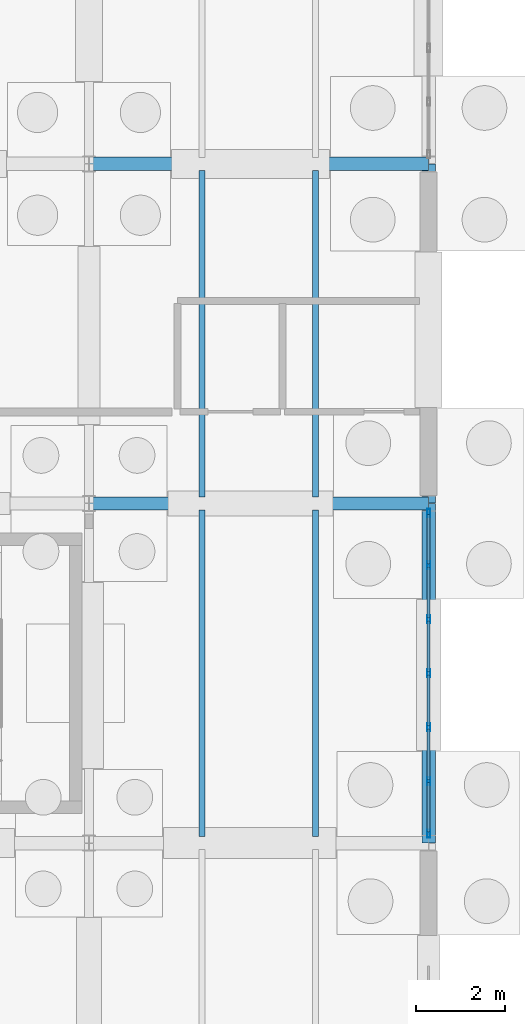
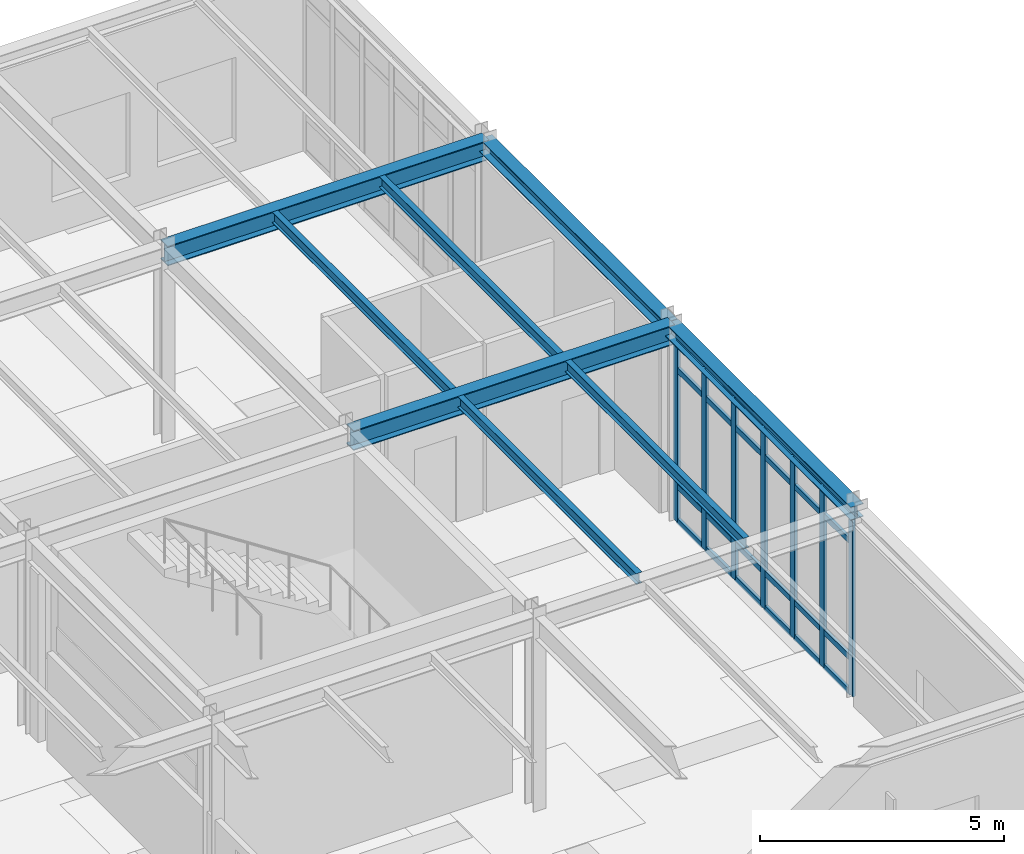
# One storey, part 34 of 109: 31 members, 8 beams, 1 element without a shape of its own.
"""IFC4 building model written with IfcOpenShell, lengths in metres."""

from ifc_helpers import new_model, si_unit, direction, frame, origin, origin_2d, place, context, subcontext, project, spatial, hollow_rectangle, i_section, extrude, material, layer, layer_set, material_profile, profile_set, type_object, element, aggregate, save


model = new_model("IFC4")

# Units and contexts
model_context = context("Model", 3, precision=1e-05, world=origin(), true_north=direction((0.0, 1.0)))
body_context = subcontext(model_context, "Body", "Model", "MODEL_VIEW")
ifc_project = project(units=[si_unit("LENGTHUNIT", "METRE"), si_unit("AREAUNIT", "SQUARE_METRE"), si_unit("VOLUMEUNIT", "CUBIC_METRE"), si_unit("PLANEANGLEUNIT", "RADIAN"), si_unit("MASSUNIT", "GRAM", prefix="KILO")], contexts=[model_context])

# Site, building, storey
site_placement = place(None, origin())
site = spatial("IfcSite", under=ifc_project, at=site_placement, CompositionType="ELEMENT")
building_placement = place(site_placement, origin())
building = spatial("IfcBuilding", under=site, at=building_placement, Name="Montecoro Central Library", CompositionType="ELEMENT")
storey_placement = place(building_placement, origin())
storey = spatial("IfcBuildingStorey", under=building, at=storey_placement, Name="L00", CompositionType="ELEMENT", Elevation=0.0)

# Beams
ifc_material_1 = material(Name="Steel S355J2", Category="steel")
ifc_material_profile_1 = material_profile(ifc_material_1, i_section(OverallWidth=0.300048828125, OverallDepth=0.489990234375, WebThickness=0.011962890625, FlangeThickness=0.02294921875, at=origin_2d()), Name="HEA 500")
ifc_profile_set_1 = profile_set([ifc_material_profile_1], Name="Steel S355J2")
beam_type_1 = type_object("IfcBeamType", Name="BM-G-HEA500", PredefinedType="USERDEFINED", material=ifc_profile_set_1)
for number, where, z_axis, x_axis, name in (
    (1, (35.405029296875, 20.199951171875, 4.60009765625), (1.0, 0.0, 0.0), (0.0, 1.0, 0.0), "V3-L00-BX-56-C"),
    (2, (35.405029296875, 27.800048828125, 4.60009765625), (1.0, 0.0, 0.0), (0.0, 1.0, 0.0), "V3-L00-BX-56-D"),
):
    element("IfcBeam", number, at=place(storey_placement, frame(where, z_axis=z_axis, x_axis=x_axis)), inside=storey, type_object=beam_type_1, Name=name, ObjectType="GIRDER", PredefinedType="USERDEFINED", context=body_context, shape_type="SweptSolid", body=[
        extrude(i_section(OverallWidth=0.300048828125, OverallDepth=0.489990234375, WebThickness=0.011962890625, FlangeThickness=0.02294921875, at=origin_2d()), origin(), (0.0, 0.0, 1.0), 7.590087890625),
    ])
ifc_material_2 = material(Name="Steel S355", Category="steel")
ifc_material_profile_2 = material_profile(ifc_material_2, i_section(OverallWidth=0.135009765625, OverallDepth=0.27001953125, WebThickness=0.006591796875, FlangeThickness=0.01025390625, at=origin_2d()), Name="IPE 270")
ifc_profile_set_2 = profile_set([ifc_material_profile_2], Name="Steel S355")
beam_type_2 = type_object("IfcBeamType", Name="BM-J-IPE270", PredefinedType="JOIST", material=ifc_profile_set_2)
for number, where, z_axis, x_axis, name in (
    (3, (37.93310546875, 12.7470703125, 4.7099609375), (0.0, 1.0, 0.0), (-1.0, 0.0, 0.0), "V3-L00-JS-56-BC-1"),
    (4, (40.467041015625, 12.7470703125, 4.7099609375), (0.0, 1.0, 0.0), (-1.0, 0.0, 0.0), "V3-L00-JS-56-BC-2"),
):
    element("IfcBeam", number, at=place(storey_placement, frame(where, z_axis=z_axis, x_axis=x_axis)), inside=storey, type_object=beam_type_2, Name=name, PredefinedType="JOIST", context=body_context, shape_type="SweptSolid", body=[
        extrude(i_section(OverallWidth=0.135009765625, OverallDepth=0.27001953125, WebThickness=0.006591796875, FlangeThickness=0.01025390625, at=origin_2d()), origin(), (0.0, 0.0, 1.0), 7.305908203125),
    ])
for number, where, z_axis, x_axis, name in (
    (5, (37.93310546875, 20.346923828125, 4.7099609375), (0.0, 1.0, 0.0), (-1.0, 0.0, 0.0), "V3-L00-JS-56-CD-1"),
    (6, (40.467041015625, 20.346923828125, 4.7099609375), (0.0, 1.0, 0.0), (-1.0, 0.0, 0.0), "V3-L00-JS-56-CD-2"),
):
    element("IfcBeam", number, at=place(storey_placement, frame(where, z_axis=z_axis, x_axis=x_axis)), inside=storey, type_object=beam_type_2, Name=name, PredefinedType="JOIST", context=body_context, shape_type="SweptSolid", body=[
        extrude(i_section(OverallWidth=0.135009765625, OverallDepth=0.27001953125, WebThickness=0.006591796875, FlangeThickness=0.01025390625, at=origin_2d()), origin(), (0.0, 0.0, 1.0), 7.30615234375),
    ])
ifc_material_profile_3 = material_profile(ifc_material_2, i_section(OverallWidth=0.300048828125, OverallDepth=0.330078125, WebThickness=0.009521484375, FlangeThickness=0.0166015625, at=origin_2d()), Name="HEA 340")
ifc_profile_set_3 = profile_set([ifc_material_profile_3], Name="Steel S355")
beam_type_3 = type_object("IfcBeamType", Name="BM-SP-HEA340", PredefinedType="SPANDREL", material=ifc_profile_set_3)
beam_1_placement = place(storey_placement, frame((43.0, 12.60498046875, 4.679931640625), z_axis=(0.0, 1.0, 0.0), x_axis=(-1.0, 0.0, 0.0)))
element("IfcBeam", 7, at=beam_1_placement, inside=storey, type_object=beam_type_3, Name="V3-L00-BY-6-BC", PredefinedType="SPANDREL", context=body_context, shape_type="SweptSolid", body=[
    extrude(i_section(OverallWidth=0.300048828125, OverallDepth=0.330078125, WebThickness=0.009521484375, FlangeThickness=0.0166015625, at=origin_2d()), origin(), (0.0, 0.0, 1.0), 7.590087890625),
])
beam_2_placement = place(storey_placement, frame((43.0, 20.205078125, 4.679931640625), z_axis=(0.0, 1.0, 0.0), x_axis=(-1.0, 0.0, 0.0)))
element("IfcBeam", 8, at=beam_2_placement, inside=storey, type_object=beam_type_3, Name="V3-L00-BY-6-CD", PredefinedType="SPANDREL", context=body_context, shape_type="SweptSolid", body=[
    extrude(i_section(OverallWidth=0.300048828125, OverallDepth=0.330078125, WebThickness=0.009521484375, FlangeThickness=0.0166015625, at=origin_2d()), origin(), (0.0, 0.0, 1.0), 7.58984375),
])

# Curtain wall, members
ifc_material_3 = material(Name="Bronze-anodised aluminium and low-E glazing", Category="aluminium")
ifc_layer = layer(ifc_material_3, 0.159912109375)
ifc_layer_set = layer_set([ifc_layer], Name="Bronze-anodised aluminium and low-E glazing")
curtain_wall_type = type_object("IfcCurtainWallType", Name="CWT-027", PredefinedType="NOTDEFINED", material=ifc_layer_set)
curtain_wall_placement = place(storey_placement, origin())
curtain_wall = element("IfcCurtainWall", 9, at=curtain_wall_placement, inside=storey, type_object=curtain_wall_type, Name="V3-L00-CW-E1", PredefinedType="NOTDEFINED")
ifc_material_4 = material(Name="Bronze-anodised aluminium", Category="aluminium")
ifc_material_profile_4 = material_profile(ifc_material_4, hollow_rectangle(XDim=0.070068359375, YDim=0.179931640625, WallThickness=0.0048828125, at=origin_2d()), Name="CWM 180x70x5.0")
ifc_profile_set_4 = profile_set([ifc_material_profile_4], Name="Bronze-anodised aluminium")
member_type_1 = type_object("IfcMemberType", Name="CWM-BRZ-70", PredefinedType="MULLION", material=ifc_profile_set_4)
member_1_placement = place(storey_placement, frame((43.0, 12.81298828125, 0.0), z_axis=(0.0, 0.0, 1.0), x_axis=(-1.0, 0.0, 0.0)))
member_1 = element("IfcMember", 10, at=member_1_placement, type_object=member_type_1, Name="CW-027 mullion 1", PredefinedType="MULLION", context=body_context, shape_type="SweptSolid", body=[
    extrude(hollow_rectangle(XDim=0.070068359375, YDim=0.179931640625, WallThickness=0.0048828125, at=origin_2d()), origin(), (0.0, 0.0, 1.0), 4.5),
])
member_2_placement = place(storey_placement, frame((43.0, 13.9853515625, 0.0), z_axis=(0.0, 0.0, 1.0), x_axis=(-1.0, 0.0, 0.0)))
member_2 = element("IfcMember", 11, at=member_2_placement, type_object=member_type_1, Name="CW-027 mullion 2", PredefinedType="MULLION", context=body_context, shape_type="SweptSolid", body=[
    extrude(hollow_rectangle(XDim=0.070068359375, YDim=0.179931640625, WallThickness=0.0048828125, at=origin_2d()), origin(), (0.0, 0.0, 1.0), 4.5),
])
member_3_placement = place(storey_placement, frame((43.0, 15.192626953125, 0.0), z_axis=(0.0, 0.0, 1.0), x_axis=(-1.0, 0.0, 0.0)))
member_3 = element("IfcMember", 12, at=member_3_placement, type_object=member_type_1, Name="CW-027 mullion 3", PredefinedType="MULLION", context=body_context, shape_type="SweptSolid", body=[
    extrude(hollow_rectangle(XDim=0.070068359375, YDim=0.179931640625, WallThickness=0.0048828125, at=origin_2d()), origin(), (0.0, 0.0, 1.0), 4.5),
])
member_4_placement = place(storey_placement, frame((43.0, 16.39990234375, 0.0), z_axis=(0.0, 0.0, 1.0), x_axis=(-1.0, 0.0, 0.0)))
member_4 = element("IfcMember", 13, at=member_4_placement, type_object=member_type_1, Name="CW-027 mullion 4", PredefinedType="MULLION", context=body_context, shape_type="SweptSolid", body=[
    extrude(hollow_rectangle(XDim=0.070068359375, YDim=0.179931640625, WallThickness=0.0048828125, at=origin_2d()), origin(), (0.0, 0.0, 1.0), 4.5),
])
member_5_placement = place(storey_placement, frame((43.0, 17.607421875, 0.0), z_axis=(0.0, 0.0, 1.0), x_axis=(-1.0, 0.0, 0.0)))
member_5 = element("IfcMember", 14, at=member_5_placement, type_object=member_type_1, Name="CW-027 mullion 5", PredefinedType="MULLION", context=body_context, shape_type="SweptSolid", body=[
    extrude(hollow_rectangle(XDim=0.070068359375, YDim=0.179931640625, WallThickness=0.0048828125, at=origin_2d()), origin(), (0.0, 0.0, 1.0), 4.5),
])
member_6_placement = place(storey_placement, frame((43.0, 18.814697265625, 0.0), z_axis=(0.0, 0.0, 1.0), x_axis=(-1.0, 0.0, 0.0)))
member_6 = element("IfcMember", 15, at=member_6_placement, type_object=member_type_1, Name="CW-027 mullion 6", PredefinedType="MULLION", context=body_context, shape_type="SweptSolid", body=[
    extrude(hollow_rectangle(XDim=0.070068359375, YDim=0.179931640625, WallThickness=0.0048828125, at=origin_2d()), origin(), (0.0, 0.0, 1.0), 4.5),
])
member_7_placement = place(storey_placement, frame((43.0, 19.987060546875, 0.0), z_axis=(0.0, 0.0, 1.0), x_axis=(-1.0, 0.0, 0.0)))
member_7 = element("IfcMember", 16, at=member_7_placement, type_object=member_type_1, Name="CW-027 mullion 7", PredefinedType="MULLION", context=body_context, shape_type="SweptSolid", body=[
    extrude(hollow_rectangle(XDim=0.070068359375, YDim=0.179931640625, WallThickness=0.0048828125, at=origin_2d()), origin(), (0.0, 0.0, 1.0), 4.5),
])
ifc_material_profile_5 = material_profile(ifc_material_4, hollow_rectangle(XDim=0.070068359375, YDim=0.139892578125, WallThickness=0.00390625, at=origin_2d()), Name="CWT 140x70x4.0")
ifc_profile_set_5 = profile_set([ifc_material_profile_5], Name="Bronze-anodised aluminium")
member_type_2 = type_object("IfcMemberType", Name="CWT-BRZ-70", PredefinedType="USERDEFINED", material=ifc_profile_set_5)
member_8_placement = place(storey_placement, frame((43.0, 12.847900390625, 0.034912109375), z_axis=(0.0, 1.0, 0.0), x_axis=(-1.0, 0.0, 0.0)))
member_8 = element("IfcMember", 17, at=member_8_placement, type_object=member_type_2, Name="CW-027 transom 1.1", ObjectType="TRANSOM", PredefinedType="USERDEFINED", context=body_context, shape_type="SweptSolid", body=[
    extrude(hollow_rectangle(XDim=0.070068359375, YDim=0.139892578125, WallThickness=0.00390625, at=origin_2d()), origin(), (0.0, 0.0, 1.0), 1.1025390625),
])
member_9_placement = place(storey_placement, frame((43.0, 12.847900390625, 0.89990234375), z_axis=(0.0, 1.0, 0.0), x_axis=(-1.0, 0.0, 0.0)))
member_9 = element("IfcMember", 18, at=member_9_placement, type_object=member_type_2, Name="CW-027 transom 1.2", ObjectType="TRANSOM", PredefinedType="USERDEFINED", context=body_context, shape_type="SweptSolid", body=[
    extrude(hollow_rectangle(XDim=0.070068359375, YDim=0.139892578125, WallThickness=0.00390625, at=origin_2d()), origin(), (0.0, 0.0, 1.0), 1.1025390625),
])
member_10_placement = place(storey_placement, frame((43.0, 12.847900390625, 3.800048828125), z_axis=(0.0, 1.0, 0.0), x_axis=(-1.0, 0.0, 0.0)))
member_10 = element("IfcMember", 19, at=member_10_placement, type_object=member_type_2, Name="CW-027 transom 1.3", ObjectType="TRANSOM", PredefinedType="USERDEFINED", context=body_context, shape_type="SweptSolid", body=[
    extrude(hollow_rectangle(XDim=0.070068359375, YDim=0.139892578125, WallThickness=0.00390625, at=origin_2d()), origin(), (0.0, 0.0, 1.0), 1.1025390625),
])
member_11_placement = place(storey_placement, frame((43.0, 12.847900390625, 4.465087890625), z_axis=(0.0, 1.0, 0.0), x_axis=(-1.0, 0.0, 0.0)))
member_11 = element("IfcMember", 20, at=member_11_placement, type_object=member_type_2, Name="CW-027 transom 1.4", ObjectType="TRANSOM", PredefinedType="USERDEFINED", context=body_context, shape_type="SweptSolid", body=[
    extrude(hollow_rectangle(XDim=0.070068359375, YDim=0.139892578125, WallThickness=0.00390625, at=origin_2d()), origin(), (0.0, 0.0, 1.0), 1.1025390625),
])
member_12_placement = place(storey_placement, frame((43.0, 14.020263671875, 0.034912109375), z_axis=(0.0, 1.0, 0.0), x_axis=(-1.0, 0.0, 0.0)))
member_12 = element("IfcMember", 21, at=member_12_placement, type_object=member_type_2, Name="CW-027 transom 2.1", ObjectType="TRANSOM", PredefinedType="USERDEFINED", context=body_context, shape_type="SweptSolid", body=[
    extrude(hollow_rectangle(XDim=0.070068359375, YDim=0.139892578125, WallThickness=0.00390625, at=origin_2d()), origin(), (0.0, 0.0, 1.0), 1.137451171875),
])
member_13_placement = place(storey_placement, frame((43.0, 14.020263671875, 0.89990234375), z_axis=(0.0, 1.0, 0.0), x_axis=(-1.0, 0.0, 0.0)))
member_13 = element("IfcMember", 22, at=member_13_placement, type_object=member_type_2, Name="CW-027 transom 2.2", ObjectType="TRANSOM", PredefinedType="USERDEFINED", context=body_context, shape_type="SweptSolid", body=[
    extrude(hollow_rectangle(XDim=0.070068359375, YDim=0.139892578125, WallThickness=0.00390625, at=origin_2d()), origin(), (0.0, 0.0, 1.0), 1.137451171875),
])
member_14_placement = place(storey_placement, frame((43.0, 14.020263671875, 3.800048828125), z_axis=(0.0, 1.0, 0.0), x_axis=(-1.0, 0.0, 0.0)))
member_14 = element("IfcMember", 23, at=member_14_placement, type_object=member_type_2, Name="CW-027 transom 2.3", ObjectType="TRANSOM", PredefinedType="USERDEFINED", context=body_context, shape_type="SweptSolid", body=[
    extrude(hollow_rectangle(XDim=0.070068359375, YDim=0.139892578125, WallThickness=0.00390625, at=origin_2d()), origin(), (0.0, 0.0, 1.0), 1.137451171875),
])
member_15_placement = place(storey_placement, frame((43.0, 14.020263671875, 4.465087890625), z_axis=(0.0, 1.0, 0.0), x_axis=(-1.0, 0.0, 0.0)))
member_15 = element("IfcMember", 24, at=member_15_placement, type_object=member_type_2, Name="CW-027 transom 2.4", ObjectType="TRANSOM", PredefinedType="USERDEFINED", context=body_context, shape_type="SweptSolid", body=[
    extrude(hollow_rectangle(XDim=0.070068359375, YDim=0.139892578125, WallThickness=0.00390625, at=origin_2d()), origin(), (0.0, 0.0, 1.0), 1.137451171875),
])
member_16_placement = place(storey_placement, frame((43.0, 15.227783203125, 0.034912109375), z_axis=(0.0, 1.0, 0.0), x_axis=(-1.0, 0.0, 0.0)))
member_16 = element("IfcMember", 25, at=member_16_placement, type_object=member_type_2, Name="CW-027 transom 3.1", ObjectType="TRANSOM", PredefinedType="USERDEFINED", context=body_context, shape_type="SweptSolid", body=[
    extrude(hollow_rectangle(XDim=0.070068359375, YDim=0.139892578125, WallThickness=0.00390625, at=origin_2d()), origin(), (0.0, 0.0, 1.0), 1.13720703125),
])
member_17_placement = place(storey_placement, frame((43.0, 15.227783203125, 0.89990234375), z_axis=(0.0, 1.0, 0.0), x_axis=(-1.0, 0.0, 0.0)))
member_17 = element("IfcMember", 26, at=member_17_placement, type_object=member_type_2, Name="CW-027 transom 3.2", ObjectType="TRANSOM", PredefinedType="USERDEFINED", context=body_context, shape_type="SweptSolid", body=[
    extrude(hollow_rectangle(XDim=0.070068359375, YDim=0.139892578125, WallThickness=0.00390625, at=origin_2d()), origin(), (0.0, 0.0, 1.0), 1.13720703125),
])
member_18_placement = place(storey_placement, frame((43.0, 15.227783203125, 3.800048828125), z_axis=(0.0, 1.0, 0.0), x_axis=(-1.0, 0.0, 0.0)))
member_18 = element("IfcMember", 27, at=member_18_placement, type_object=member_type_2, Name="CW-027 transom 3.3", ObjectType="TRANSOM", PredefinedType="USERDEFINED", context=body_context, shape_type="SweptSolid", body=[
    extrude(hollow_rectangle(XDim=0.070068359375, YDim=0.139892578125, WallThickness=0.00390625, at=origin_2d()), origin(), (0.0, 0.0, 1.0), 1.13720703125),
])
member_19_placement = place(storey_placement, frame((43.0, 15.227783203125, 4.465087890625), z_axis=(0.0, 1.0, 0.0), x_axis=(-1.0, 0.0, 0.0)))
member_19 = element("IfcMember", 28, at=member_19_placement, type_object=member_type_2, Name="CW-027 transom 3.4", ObjectType="TRANSOM", PredefinedType="USERDEFINED", context=body_context, shape_type="SweptSolid", body=[
    extrude(hollow_rectangle(XDim=0.070068359375, YDim=0.139892578125, WallThickness=0.00390625, at=origin_2d()), origin(), (0.0, 0.0, 1.0), 1.13720703125),
])
member_20_placement = place(storey_placement, frame((43.0, 16.43505859375, 0.034912109375), z_axis=(0.0, 1.0, 0.0), x_axis=(-1.0, 0.0, 0.0)))
member_20 = element("IfcMember", 29, at=member_20_placement, type_object=member_type_2, Name="CW-027 transom 4.1", ObjectType="TRANSOM", PredefinedType="USERDEFINED", context=body_context, shape_type="SweptSolid", body=[
    extrude(hollow_rectangle(XDim=0.070068359375, YDim=0.139892578125, WallThickness=0.00390625, at=origin_2d()), origin(), (0.0, 0.0, 1.0), 1.13720703125),
])
member_21_placement = place(storey_placement, frame((43.0, 16.43505859375, 0.89990234375), z_axis=(0.0, 1.0, 0.0), x_axis=(-1.0, 0.0, 0.0)))
member_21 = element("IfcMember", 30, at=member_21_placement, type_object=member_type_2, Name="CW-027 transom 4.2", ObjectType="TRANSOM", PredefinedType="USERDEFINED", context=body_context, shape_type="SweptSolid", body=[
    extrude(hollow_rectangle(XDim=0.070068359375, YDim=0.139892578125, WallThickness=0.00390625, at=origin_2d()), origin(), (0.0, 0.0, 1.0), 1.13720703125),
])
member_22_placement = place(storey_placement, frame((43.0, 16.43505859375, 3.800048828125), z_axis=(0.0, 1.0, 0.0), x_axis=(-1.0, 0.0, 0.0)))
member_22 = element("IfcMember", 31, at=member_22_placement, type_object=member_type_2, Name="CW-027 transom 4.3", ObjectType="TRANSOM", PredefinedType="USERDEFINED", context=body_context, shape_type="SweptSolid", body=[
    extrude(hollow_rectangle(XDim=0.070068359375, YDim=0.139892578125, WallThickness=0.00390625, at=origin_2d()), origin(), (0.0, 0.0, 1.0), 1.13720703125),
])
member_23_placement = place(storey_placement, frame((43.0, 16.43505859375, 4.465087890625), z_axis=(0.0, 1.0, 0.0), x_axis=(-1.0, 0.0, 0.0)))
member_23 = element("IfcMember", 32, at=member_23_placement, type_object=member_type_2, Name="CW-027 transom 4.4", ObjectType="TRANSOM", PredefinedType="USERDEFINED", context=body_context, shape_type="SweptSolid", body=[
    extrude(hollow_rectangle(XDim=0.070068359375, YDim=0.139892578125, WallThickness=0.00390625, at=origin_2d()), origin(), (0.0, 0.0, 1.0), 1.13720703125),
])
member_24_placement = place(storey_placement, frame((43.0, 17.642333984375, 0.034912109375), z_axis=(0.0, 1.0, 0.0), x_axis=(-1.0, 0.0, 0.0)))
member_24 = element("IfcMember", 33, at=member_24_placement, type_object=member_type_2, Name="CW-027 transom 5.1", ObjectType="TRANSOM", PredefinedType="USERDEFINED", context=body_context, shape_type="SweptSolid", body=[
    extrude(hollow_rectangle(XDim=0.070068359375, YDim=0.139892578125, WallThickness=0.00390625, at=origin_2d()), origin(), (0.0, 0.0, 1.0), 1.137451171875),
])
member_25_placement = place(storey_placement, frame((43.0, 17.642333984375, 0.89990234375), z_axis=(0.0, 1.0, 0.0), x_axis=(-1.0, 0.0, 0.0)))
member_25 = element("IfcMember", 34, at=member_25_placement, type_object=member_type_2, Name="CW-027 transom 5.2", ObjectType="TRANSOM", PredefinedType="USERDEFINED", context=body_context, shape_type="SweptSolid", body=[
    extrude(hollow_rectangle(XDim=0.070068359375, YDim=0.139892578125, WallThickness=0.00390625, at=origin_2d()), origin(), (0.0, 0.0, 1.0), 1.137451171875),
])
member_26_placement = place(storey_placement, frame((43.0, 17.642333984375, 3.800048828125), z_axis=(0.0, 1.0, 0.0), x_axis=(-1.0, 0.0, 0.0)))
member_26 = element("IfcMember", 35, at=member_26_placement, type_object=member_type_2, Name="CW-027 transom 5.3", ObjectType="TRANSOM", PredefinedType="USERDEFINED", context=body_context, shape_type="SweptSolid", body=[
    extrude(hollow_rectangle(XDim=0.070068359375, YDim=0.139892578125, WallThickness=0.00390625, at=origin_2d()), origin(), (0.0, 0.0, 1.0), 1.137451171875),
])
member_27_placement = place(storey_placement, frame((43.0, 17.642333984375, 4.465087890625), z_axis=(0.0, 1.0, 0.0), x_axis=(-1.0, 0.0, 0.0)))
member_27 = element("IfcMember", 36, at=member_27_placement, type_object=member_type_2, Name="CW-027 transom 5.4", ObjectType="TRANSOM", PredefinedType="USERDEFINED", context=body_context, shape_type="SweptSolid", body=[
    extrude(hollow_rectangle(XDim=0.070068359375, YDim=0.139892578125, WallThickness=0.00390625, at=origin_2d()), origin(), (0.0, 0.0, 1.0), 1.137451171875),
])
member_28_placement = place(storey_placement, frame((43.0, 18.849609375, 0.034912109375), z_axis=(0.0, 1.0, 0.0), x_axis=(-1.0, 0.0, 0.0)))
member_28 = element("IfcMember", 37, at=member_28_placement, type_object=member_type_2, Name="CW-027 transom 6.1", ObjectType="TRANSOM", PredefinedType="USERDEFINED", context=body_context, shape_type="SweptSolid", body=[
    extrude(hollow_rectangle(XDim=0.070068359375, YDim=0.139892578125, WallThickness=0.00390625, at=origin_2d()), origin(), (0.0, 0.0, 1.0), 1.102294921875),
])
member_29_placement = place(storey_placement, frame((43.0, 18.849609375, 0.89990234375), z_axis=(0.0, 1.0, 0.0), x_axis=(-1.0, 0.0, 0.0)))
member_29 = element("IfcMember", 38, at=member_29_placement, type_object=member_type_2, Name="CW-027 transom 6.2", ObjectType="TRANSOM", PredefinedType="USERDEFINED", context=body_context, shape_type="SweptSolid", body=[
    extrude(hollow_rectangle(XDim=0.070068359375, YDim=0.139892578125, WallThickness=0.00390625, at=origin_2d()), origin(), (0.0, 0.0, 1.0), 1.102294921875),
])
member_30_placement = place(storey_placement, frame((43.0, 18.849609375, 3.800048828125), z_axis=(0.0, 1.0, 0.0), x_axis=(-1.0, 0.0, 0.0)))
member_30 = element("IfcMember", 39, at=member_30_placement, type_object=member_type_2, Name="CW-027 transom 6.3", ObjectType="TRANSOM", PredefinedType="USERDEFINED", context=body_context, shape_type="SweptSolid", body=[
    extrude(hollow_rectangle(XDim=0.070068359375, YDim=0.139892578125, WallThickness=0.00390625, at=origin_2d()), origin(), (0.0, 0.0, 1.0), 1.102294921875),
])
member_31_placement = place(storey_placement, frame((43.0, 18.849609375, 4.465087890625), z_axis=(0.0, 1.0, 0.0), x_axis=(-1.0, 0.0, 0.0)))
member_31 = element("IfcMember", 40, at=member_31_placement, type_object=member_type_2, Name="CW-027 transom 6.4", ObjectType="TRANSOM", PredefinedType="USERDEFINED", context=body_context, shape_type="SweptSolid", body=[
    extrude(hollow_rectangle(XDim=0.070068359375, YDim=0.139892578125, WallThickness=0.00390625, at=origin_2d()), origin(), (0.0, 0.0, 1.0), 1.102294921875),
])
aggregate(curtain_wall, [member_1, member_2, member_3, member_4, member_5, member_6, member_7, member_8, member_9, member_10, member_11, member_12, member_13, member_14, member_15, member_16, member_17, member_18, member_19, member_20, member_21, member_22, member_23, member_24, member_25, member_26, member_27, member_28, member_29, member_30, member_31])

save(model, "model.ifc")
